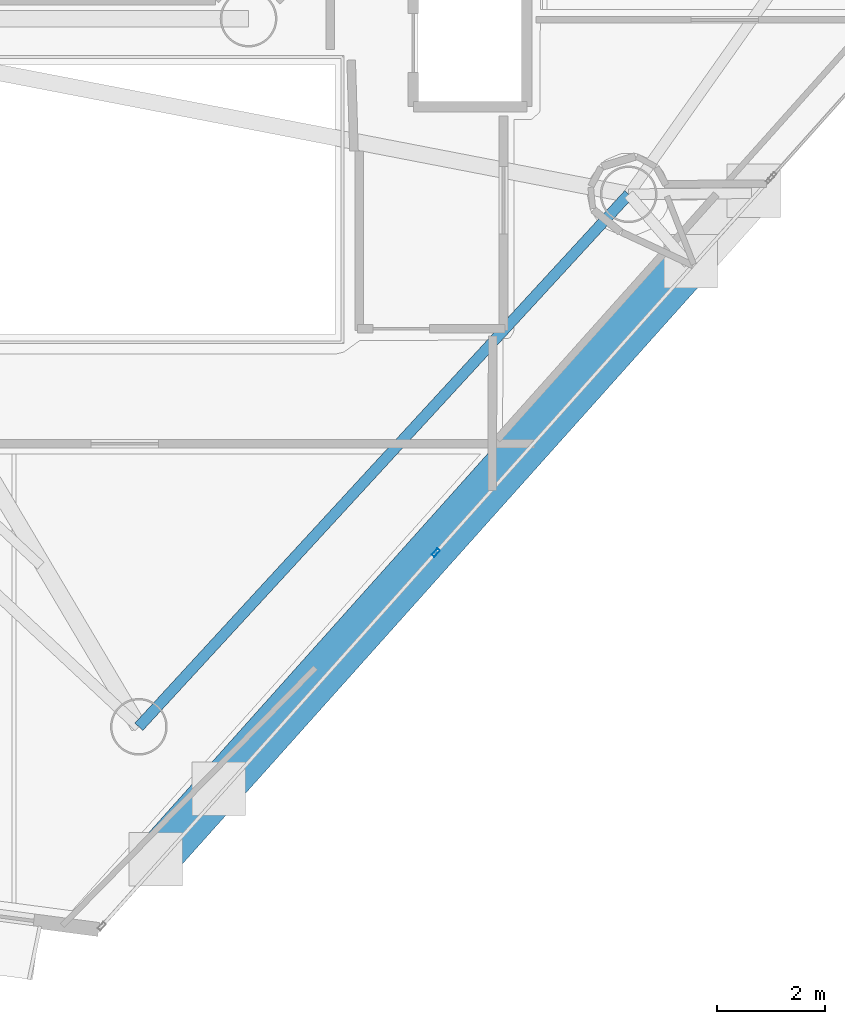
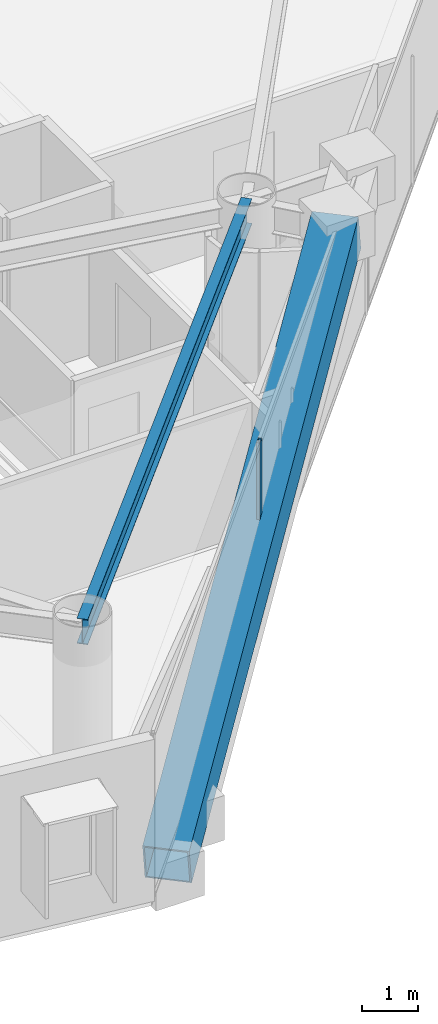
# One storey, part 5 of 21: 2 members, 1 beam, 1 element without a shape of its own.
"""IFC4 building model written with IfcOpenShell, lengths in metres."""

from ifc_helpers import new_model, si_unit, direction, frame, origin, origin_2d, place, context, subcontext, project, spatial, hollow_rectangle, i_section, extrude, material, layer, layer_set, material_profile, profile_set, type_object, element, aggregate, save


model = new_model("IFC4")

# Units and contexts
model_context = context("Model", 3, precision=1e-05, world=origin(), true_north=direction((0.0, 1.0)))
body_context = subcontext(model_context, "Body", "Model", "MODEL_VIEW")
ifc_project = project(units=[si_unit("LENGTHUNIT", "METRE"), si_unit("AREAUNIT", "SQUARE_METRE"), si_unit("VOLUMEUNIT", "CUBIC_METRE"), si_unit("PLANEANGLEUNIT", "RADIAN"), si_unit("MASSUNIT", "GRAM", prefix="KILO")], contexts=[model_context])

# Site, building, storey
site_placement = place(None, origin())
site = spatial("IfcSite", under=ifc_project, at=site_placement, CompositionType="ELEMENT")
building_placement = place(site_placement, origin())
building = spatial("IfcBuilding", under=site, at=building_placement, Name="Qianvela Tower", CompositionType="ELEMENT")
storey_placement = place(building_placement, frame((0.0, 0.0, 250.10009765625)))
storey = spatial("IfcBuildingStorey", under=building, at=storey_placement, Name="L64", CompositionType="ELEMENT", Elevation=250.10009765625)

# Beam
ifc_material_1 = material(Name="Steel Q355B", Category="steel")
ifc_material_profile_1 = material_profile(ifc_material_1, i_section(OverallWidth=0.199951171875, OverallDepth=0.550048828125, WebThickness=0.010009765625, FlangeThickness=0.01611328125, at=origin_2d()), Name="HN550x200x10x16")
ifc_profile_set_1 = profile_set([ifc_material_profile_1], Name="Steel Q355B")
beam_type = type_object("IfcBeamType", Name="BM-HN550-GIRD", PredefinedType="BEAM", material=ifc_profile_set_1)
beam_placement = place(storey_placement, frame((36.368896484375, 10.741943359375, 3.242919921875), z_axis=(0.677042708154, 0.735943728376, 0.0), x_axis=(-0.735943728376, 0.677042708154, 0.0)))
element("IfcBeam", 1, at=beam_placement, inside=storey, type_object=beam_type, Name="L64 Perimeter Ring Spandrel Girder 5", PredefinedType="BEAM", context=body_context, shape_type="SweptSolid", body=[
    extrude(i_section(OverallWidth=0.199951171875, OverallDepth=0.550048828125, WebThickness=0.010009765625, FlangeThickness=0.01611328125, at=origin_2d()), origin(), (0.0, 0.0, 1.0), 13.392333984375),
])

# Curtain wall, member
ifc_material_2 = material(Name="Anodised Architectural Aluminium and Insulated Spandrel Panel", Category="aluminium")
ifc_layer = layer(ifc_material_2, 0.179931640625)
ifc_layer_set = layer_set([ifc_layer], Name="Anodised Architectural Aluminium and Insulated Spandrel Panel")
curtain_wall_type = type_object("IfcCurtainWallType", Name="CW-BRACEBAY", PredefinedType="USERDEFINED", material=ifc_layer_set)
curtain_wall_placement = place(storey_placement, origin())
curtain_wall = element("IfcCurtainWall", 2, at=curtain_wall_placement, inside=storey, type_object=curtain_wall_type, Name="L64 CW-BRACEBAY Curtain Wall 06A", ObjectType="CURTAIN_WALL_SYSTEM", PredefinedType="USERDEFINED")
ifc_material_3 = material(Name="Anodised Architectural Aluminium 6063-T6", Category="aluminium")
ifc_material_profile_2 = material_profile(ifc_material_3, hollow_rectangle(XDim=0.06494140625, YDim=0.159912109375, WallThickness=0.0048828125, at=origin_2d()), Name="ALU-MULL-65x160")
ifc_profile_set_2 = profile_set([ifc_material_profile_2], Name="Anodised Architectural Aluminium 6063-T6")
member_type_1 = type_object("IfcMemberType", Name="CW-BRACEBAY-MULL", PredefinedType="MULLION", material=ifc_profile_set_2)
member_1_placement = place(storey_placement, frame((41.865966796875, 13.96533203125, 0.0), z_axis=(0.0, 0.0, 1.0), x_axis=(-0.74539425645, 0.666623883799, 0.0)))
member_1 = element("IfcMember", 3, at=member_1_placement, type_object=member_type_1, Name="CW-9 mullion 2", PredefinedType="MULLION", context=body_context, shape_type="SweptSolid", body=[
    extrude(hollow_rectangle(XDim=0.06494140625, YDim=0.159912109375, WallThickness=0.0048828125, at=origin_2d()), origin(), (0.0, 0.0, 1.0), 3.52001953125),
])
aggregate(curtain_wall, [member_1])

# Member
ifc_material_4 = material(Name="Steel Q420GJC", Category="steel")
ifc_material_profile_3 = material_profile(ifc_material_4, hollow_rectangle(XDim=0.85009765625, YDim=0.85009765625, WallThickness=0.031982421875, at=origin_2d()), Name="MBOX-850x850x32")
ifc_profile_set_3 = profile_set([ifc_material_profile_3], Name="Steel Q420GJC")
member_type_2 = type_object("IfcMemberType", Name="MBR-MBRACE-850", PredefinedType="BRACE", material=ifc_profile_set_3)
member_2_placement = place(storey_placement, frame((36.72119140625, 8.332763671875, -0.482177734375), z_axis=(0.64655183317, 0.722930650632, 0.243602137511), x_axis=(-0.74538519401, 0.666634016947, 0.0)))
element("IfcMember", 4, at=member_2_placement, inside=storey, type_object=member_type_2, Name="L64 Tier 10 Exterior Mega-Brace F3A", PredefinedType="BRACE", context=body_context, shape_type="SweptSolid", body=[
    extrude(hollow_rectangle(XDim=0.85009765625, YDim=0.85009765625, WallThickness=0.031982421875, at=origin_2d()), origin(), (0.0, 0.0, 1.0), 15.189453125),
])

save(model, "model.ifc")
